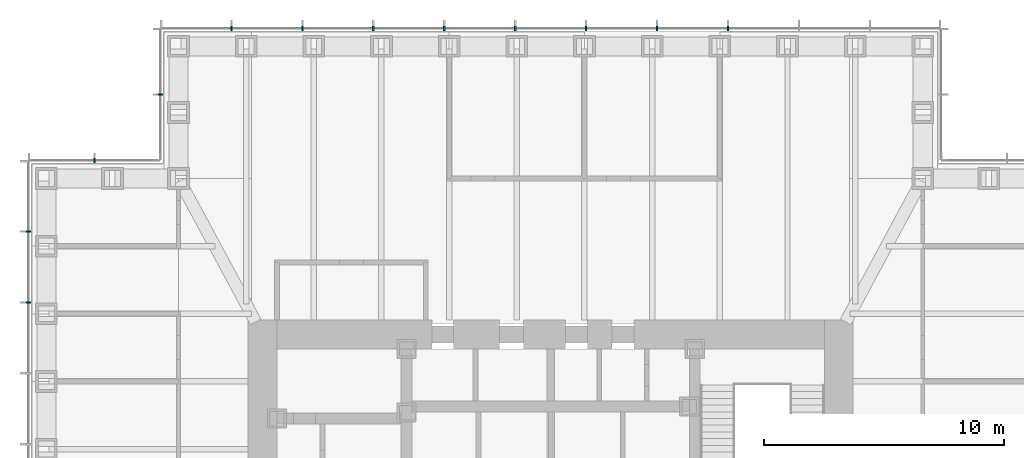
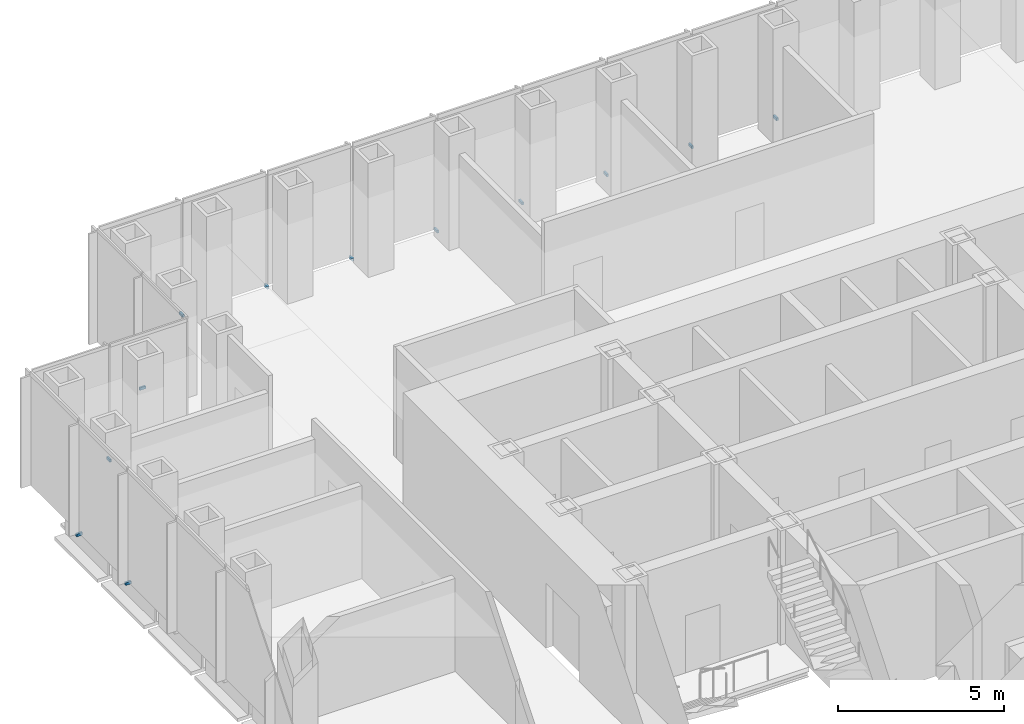
# One storey, part 15 of 17: 12 discrete accessories.
"""IFC4 building model written with IfcOpenShell, lengths in metres."""

from ifc_helpers import new_model, si_unit, direction, frame, origin, origin_2d, place, context, subcontext, project, spatial, rectangle, extrude, element, save


model = new_model("IFC4")

# Units and contexts
model_context = context("Model", 3, precision=1e-05, world=origin(), true_north=direction((0.0, 1.0)))
body_context = subcontext(model_context, "Body", "Model", "MODEL_VIEW")
ifc_project = project(units=[si_unit("LENGTHUNIT", "METRE"), si_unit("AREAUNIT", "SQUARE_METRE"), si_unit("VOLUMEUNIT", "CUBIC_METRE"), si_unit("PLANEANGLEUNIT", "RADIAN"), si_unit("MASSUNIT", "GRAM", prefix="KILO")], contexts=[model_context])

# Site, building, storey
site_placement = place(None, origin())
site = spatial("IfcSite", under=ifc_project, at=site_placement, CompositionType="ELEMENT")
building_placement = place(site_placement, origin())
building = spatial("IfcBuilding", under=site, at=building_placement, Name="Daluyong Arena Tower", CompositionType="ELEMENT")
storey_placement = place(building_placement, frame((0.0, 0.0, 193.89990234375)))
storey = spatial("IfcBuildingStorey", under=building, at=storey_placement, Name="L43", CompositionType="ELEMENT", Elevation=193.89990234375)

# Discrete accessories
for number, where, z_axis, x_axis, name in (
    (1, (63.386474609375, 101.75, -0.099853515625), (0.0, 0.0, 1.0), (-1.0, 0.0, 0.0), "curtain wall L43 N anchor bracket 4"),
    (2, (60.431884765625, 101.75, -0.099853515625), (0.0, 0.0, 1.0), (-1.0, 0.0, 0.0), "curtain wall L43 N anchor bracket 5"),
    (3, (57.477294921875, 101.75, -0.099853515625), (0.0, 0.0, 1.0), (-1.0, 0.0, 0.0), "curtain wall L43 N anchor bracket 6"),
    (4, (54.522705078125, 101.75, -0.099853515625), (0.0, 0.0, 1.0), (-1.0, 0.0, 0.0), "curtain wall L43 N anchor bracket 7"),
    (5, (51.568115234375, 101.75, -0.099853515625), (0.0, 0.0, 1.0), (-1.0, 0.0, 0.0), "curtain wall L43 N anchor bracket 8"),
    (6, (48.613525390625, 101.75, -0.099853515625), (0.0, 0.0, 1.0), (-1.0, 0.0, 0.0), "curtain wall L43 N anchor bracket 9"),
    (7, (45.6591796875, 101.75, -0.099853515625), (0.0, 0.0, 1.0), (-1.0, 0.0, 0.0), "curtain wall L43 N anchor bracket 10"),
    (8, (42.70458984375, 101.75, -0.099853515625), (0.0, 0.0, 1.0), (-1.0, 0.0, 0.0), "curtain wall L43 N anchor bracket 11"),
):
    element("IfcDiscreteAccessory", number, at=place(storey_placement, frame(where, z_axis=z_axis, x_axis=x_axis)), inside=storey, Name=name, PredefinedType="BRACKET", context=body_context, shape_type="SweptSolid", body=[
        extrude(rectangle(XDim=0.070068359375, YDim=0.199951171875, at=origin_2d()), origin(), (0.0, 0.0, 1.0), 0.10009765625),
    ])
for number, where, z_axis, x_axis, name in (
    (9, (39.75, 99.0, -0.099853515625), (0.0, 0.0, 1.0), (0.0, -1.0, 0.0), "curtain wall L43 NW-W anchor bracket 2"),
    (10, (37.0, 96.25, -0.099853515625), (0.0, 0.0, 1.0), (-1.0, 0.0, 0.0), "curtain wall L43 NW-N anchor bracket 2"),
):
    element("IfcDiscreteAccessory", number, at=place(storey_placement, frame(where, z_axis=z_axis, x_axis=x_axis)), inside=storey, Name=name, PredefinedType="BRACKET", context=body_context, shape_type="SweptSolid", body=[
        extrude(rectangle(XDim=0.06005859375, YDim=0.199951171875, at=origin_2d()), origin(), (0.0, 0.0, 1.0), 0.10009765625),
    ])
for number, where, z_axis, x_axis, name in (
    (11, (34.25, 93.29541015625, -0.099853515625), (0.0, 0.0, 1.0), (0.0, -1.0, 0.0), "curtain wall L43 W anchor bracket 2"),
    (12, (34.25, 90.3408203125, -0.099853515625), (0.0, 0.0, 1.0), (0.0, -1.0, 0.0), "curtain wall L43 W anchor bracket 3"),
):
    element("IfcDiscreteAccessory", number, at=place(storey_placement, frame(where, z_axis=z_axis, x_axis=x_axis)), inside=storey, Name=name, PredefinedType="BRACKET", context=body_context, shape_type="SweptSolid", body=[
        extrude(rectangle(XDim=0.070068359375, YDim=0.199951171875, at=origin_2d()), origin(), (0.0, 0.0, 1.0), 0.10009765625),
    ])

save(model, "model.ifc")
